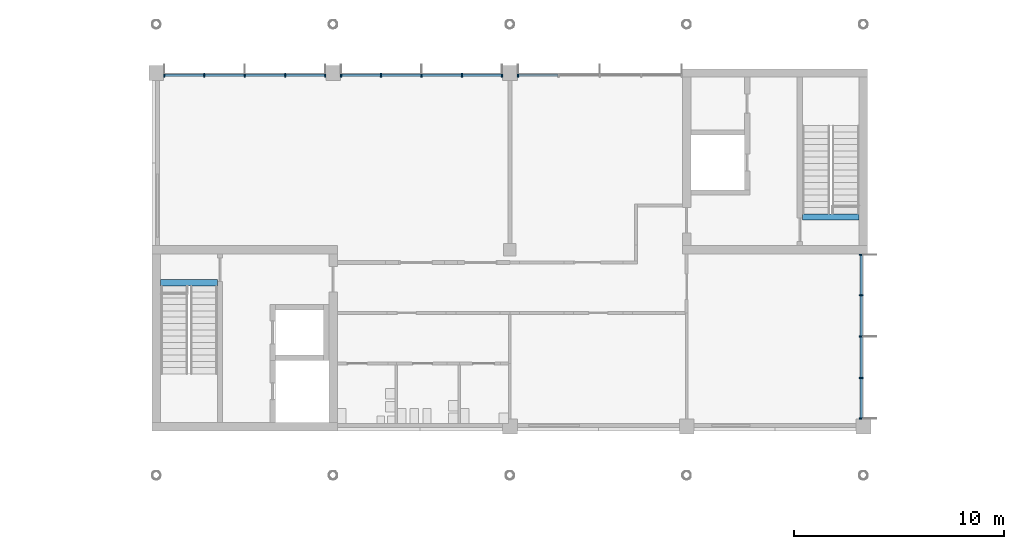
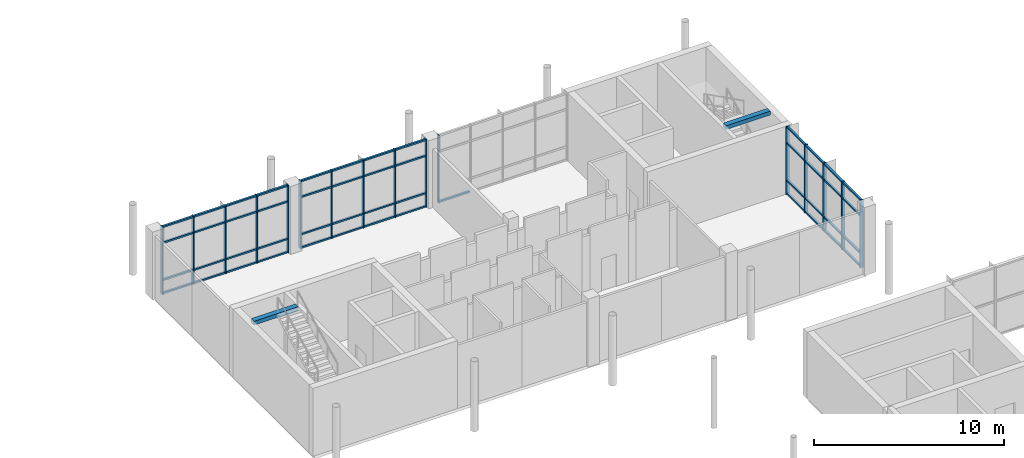
# One storey, part 22 of 70: 65 members, 2 beams, 4 elements without a shape of their own.
"""IFC4 building model written with IfcOpenShell, lengths in metres."""

from ifc_helpers import new_model, si_unit, direction, frame, origin, origin_2d, place, context, subcontext, project, spatial, rectangle, extrude, material, material_profile, profile_set, type_object, element, aggregate, save


model = new_model("IFC4")

# Units and contexts
model_context = context("Model", 3, precision=1e-05, world=origin(), true_north=direction((0.0, 1.0)))
body_context = subcontext(model_context, "Body", "Model", "MODEL_VIEW")
ifc_project = project(units=[si_unit("LENGTHUNIT", "METRE"), si_unit("AREAUNIT", "SQUARE_METRE"), si_unit("VOLUMEUNIT", "CUBIC_METRE"), si_unit("PLANEANGLEUNIT", "RADIAN"), si_unit("MASSUNIT", "GRAM", prefix="KILO")], contexts=[model_context])

# Site, building, storey
site_placement = place(None, origin())
site = spatial("IfcSite", under=ifc_project, at=site_placement, CompositionType="ELEMENT")
building_placement = place(site_placement, origin())
building = spatial("IfcBuilding", under=site, at=building_placement, Name="Hlaing Beacon Police Headquarters", CompositionType="ELEMENT")
storey_placement = place(building_placement, frame((0.0, 0.0, 5.39990234375)))
storey = spatial("IfcBuildingStorey", under=building, at=storey_placement, Name="L01", CompositionType="ELEMENT", Elevation=5.39990234375)

# Curtain wall, member
ifc_material_1 = material(Name="Aluminium frame with solar control glazing", Category="aluminium")
curtain_wall_type_1 = type_object("IfcCurtainWallType", Name="Unitised curtain wall 7.85 x 4.37", PredefinedType="NOTDEFINED", material=ifc_material_1)
curtain_wall_1_placement = place(storey_placement, origin())
curtain_wall_1 = element("IfcCurtainWall", 1, at=curtain_wall_1_placement, inside=storey, type_object=curtain_wall_type_1, Name="ENV-CW-L01-N028", PredefinedType="NOTDEFINED")
ifc_material_2 = material(Name="Aluminium", Category="aluminium")
ifc_material_profile_1 = material_profile(ifc_material_2, rectangle(XDim=0.199951171875, YDim=0.06005859375, at=origin_2d()), Name="Mullion 60x200")
ifc_profile_set_1 = profile_set([ifc_material_profile_1], Name="Aluminium")
member_type_1 = type_object("IfcMemberType", Name="Mullion 60x200", PredefinedType="MULLION", material=ifc_profile_set_1)
member_1_placement = place(storey_placement, frame((50.780029296875, 92.300048828125, 0.0), z_axis=(0.0, 0.0, 1.0), x_axis=(0.0, -1.0, 0.0)))
member_1 = element("IfcMember", 2, at=member_1_placement, type_object=member_type_1, Name="CW-L01-N028 mullion 5", PredefinedType="MULLION", context=body_context, shape_type="SweptSolid", body=[
    extrude(rectangle(XDim=0.199951171875, YDim=0.06005859375, at=origin_2d()), origin(), (0.0, 0.0, 1.0), 4.3701171875),
])

# Curtain wall, members
ifc_material_3 = material(Name="Aluminium frame with solar control glazing", Category="aluminium")
curtain_wall_type_2 = type_object("IfcCurtainWallType", Name="Unitised curtain wall 7.70 x 4.37", PredefinedType="NOTDEFINED", material=ifc_material_3)
curtain_wall_2_placement = place(storey_placement, origin())
curtain_wall_2 = element("IfcCurtainWall", 3, at=curtain_wall_2_placement, inside=storey, type_object=curtain_wall_type_2, Name="ENV-CW-L01-N029", PredefinedType="NOTDEFINED")
member_2_placement = place(storey_placement, frame((50.02001953125, 92.300048828125, 0.0), z_axis=(0.0, 0.0, 1.0), x_axis=(0.0, -1.0, 0.0)))
member_2 = element("IfcMember", 4, at=member_2_placement, type_object=member_type_1, Name="CW-L01-N029 mullion 1", PredefinedType="MULLION", context=body_context, shape_type="SweptSolid", body=[
    extrude(rectangle(XDim=0.199951171875, YDim=0.06005859375, at=origin_2d()), origin(), (0.0, 0.0, 1.0), 4.3701171875),
])
member_3_placement = place(storey_placement, frame((48.125, 92.300048828125, 0.0), z_axis=(0.0, 0.0, 1.0), x_axis=(0.0, -1.0, 0.0)))
member_3 = element("IfcMember", 5, at=member_3_placement, type_object=member_type_1, Name="CW-L01-N029 mullion 2", PredefinedType="MULLION", context=body_context, shape_type="SweptSolid", body=[
    extrude(rectangle(XDim=0.199951171875, YDim=0.06005859375, at=origin_2d()), origin(), (0.0, 0.0, 1.0), 4.3701171875),
])
member_4_placement = place(storey_placement, frame((46.199951171875, 92.300048828125, 0.0), z_axis=(0.0, 0.0, 1.0), x_axis=(0.0, -1.0, 0.0)))
member_4 = element("IfcMember", 6, at=member_4_placement, type_object=member_type_1, Name="CW-L01-N029 mullion 3", PredefinedType="MULLION", context=body_context, shape_type="SweptSolid", body=[
    extrude(rectangle(XDim=0.199951171875, YDim=0.06005859375, at=origin_2d()), origin(), (0.0, 0.0, 1.0), 4.3701171875),
])
member_5_placement = place(storey_placement, frame((44.27490234375, 92.300048828125, 0.0), z_axis=(0.0, 0.0, 1.0), x_axis=(0.0, -1.0, 0.0)))
member_5 = element("IfcMember", 7, at=member_5_placement, type_object=member_type_1, Name="CW-L01-N029 mullion 4", PredefinedType="MULLION", context=body_context, shape_type="SweptSolid", body=[
    extrude(rectangle(XDim=0.199951171875, YDim=0.06005859375, at=origin_2d()), origin(), (0.0, 0.0, 1.0), 4.3701171875),
])
member_6_placement = place(storey_placement, frame((42.3798828125, 92.300048828125, 0.0), z_axis=(0.0, 0.0, 1.0), x_axis=(0.0, -1.0, 0.0)))
member_6 = element("IfcMember", 8, at=member_6_placement, type_object=member_type_1, Name="CW-L01-N029 mullion 5", PredefinedType="MULLION", context=body_context, shape_type="SweptSolid", body=[
    extrude(rectangle(XDim=0.199951171875, YDim=0.06005859375, at=origin_2d()), origin(), (0.0, 0.0, 1.0), 4.3701171875),
])

curtain_wall_3_placement = place(storey_placement, origin())
curtain_wall_3 = element("IfcCurtainWall", 9, at=curtain_wall_3_placement, inside=storey, type_object=curtain_wall_type_2, Name="ENV-CW-L01-N030", PredefinedType="NOTDEFINED")
member_7_placement = place(storey_placement, frame((41.6201171875, 92.300048828125, 0.0), z_axis=(0.0, 0.0, 1.0), x_axis=(0.0, -1.0, 0.0)))
member_7 = element("IfcMember", 10, at=member_7_placement, type_object=member_type_1, Name="CW-L01-N030 mullion 1", PredefinedType="MULLION", context=body_context, shape_type="SweptSolid", body=[
    extrude(rectangle(XDim=0.199951171875, YDim=0.06005859375, at=origin_2d()), origin(), (0.0, 0.0, 1.0), 4.3701171875),
])
member_8_placement = place(storey_placement, frame((39.72509765625, 92.300048828125, 0.0), z_axis=(0.0, 0.0, 1.0), x_axis=(0.0, -1.0, 0.0)))
member_8 = element("IfcMember", 11, at=member_8_placement, type_object=member_type_1, Name="CW-L01-N030 mullion 2", PredefinedType="MULLION", context=body_context, shape_type="SweptSolid", body=[
    extrude(rectangle(XDim=0.199951171875, YDim=0.06005859375, at=origin_2d()), origin(), (0.0, 0.0, 1.0), 4.3701171875),
])
member_9_placement = place(storey_placement, frame((37.800048828125, 92.300048828125, 0.0), z_axis=(0.0, 0.0, 1.0), x_axis=(0.0, -1.0, 0.0)))
member_9 = element("IfcMember", 12, at=member_9_placement, type_object=member_type_1, Name="CW-L01-N030 mullion 3", PredefinedType="MULLION", context=body_context, shape_type="SweptSolid", body=[
    extrude(rectangle(XDim=0.199951171875, YDim=0.06005859375, at=origin_2d()), origin(), (0.0, 0.0, 1.0), 4.3701171875),
])
member_10_placement = place(storey_placement, frame((35.875, 92.300048828125, 0.0), z_axis=(0.0, 0.0, 1.0), x_axis=(0.0, -1.0, 0.0)))
member_10 = element("IfcMember", 13, at=member_10_placement, type_object=member_type_1, Name="CW-L01-N030 mullion 4", PredefinedType="MULLION", context=body_context, shape_type="SweptSolid", body=[
    extrude(rectangle(XDim=0.199951171875, YDim=0.06005859375, at=origin_2d()), origin(), (0.0, 0.0, 1.0), 4.3701171875),
])
member_11_placement = place(storey_placement, frame((33.97998046875, 92.300048828125, 0.0), z_axis=(0.0, 0.0, 1.0), x_axis=(0.0, -1.0, 0.0)))
member_11 = element("IfcMember", 14, at=member_11_placement, type_object=member_type_1, Name="CW-L01-N030 mullion 5", PredefinedType="MULLION", context=body_context, shape_type="SweptSolid", body=[
    extrude(rectangle(XDim=0.199951171875, YDim=0.06005859375, at=origin_2d()), origin(), (0.0, 0.0, 1.0), 4.3701171875),
])

curtain_wall_4_placement = place(storey_placement, origin())
curtain_wall_4 = element("IfcCurtainWall", 15, at=curtain_wall_4_placement, inside=storey, type_object=curtain_wall_type_1, Name="ENV-CW-L01-E031", PredefinedType="NOTDEFINED")
member_12_placement = place(storey_placement, frame((67.10009765625, 75.97998046875, 0.0), z_axis=(0.0, 0.0, 1.0), x_axis=(-1.0, 0.0, 0.0)))
member_12 = element("IfcMember", 16, at=member_12_placement, type_object=member_type_1, Name="CW-L01-E031 mullion 1", PredefinedType="MULLION", context=body_context, shape_type="SweptSolid", body=[
    extrude(rectangle(XDim=0.199951171875, YDim=0.06005859375, at=origin_2d()), origin(), (0.0, 0.0, 1.0), 4.3701171875),
])
member_13_placement = place(storey_placement, frame((67.10009765625, 77.91259765625, 0.0), z_axis=(0.0, 0.0, 1.0), x_axis=(-1.0, 0.0, 0.0)))
member_13 = element("IfcMember", 17, at=member_13_placement, type_object=member_type_1, Name="CW-L01-E031 mullion 2", PredefinedType="MULLION", context=body_context, shape_type="SweptSolid", body=[
    extrude(rectangle(XDim=0.199951171875, YDim=0.06005859375, at=origin_2d()), origin(), (0.0, 0.0, 1.0), 4.3701171875),
])
member_14_placement = place(storey_placement, frame((67.10009765625, 79.875, 0.0), z_axis=(0.0, 0.0, 1.0), x_axis=(-1.0, 0.0, 0.0)))
member_14 = element("IfcMember", 18, at=member_14_placement, type_object=member_type_1, Name="CW-L01-E031 mullion 3", PredefinedType="MULLION", context=body_context, shape_type="SweptSolid", body=[
    extrude(rectangle(XDim=0.199951171875, YDim=0.06005859375, at=origin_2d()), origin(), (0.0, 0.0, 1.0), 4.3701171875),
])
member_15_placement = place(storey_placement, frame((67.10009765625, 81.83740234375, 0.0), z_axis=(0.0, 0.0, 1.0), x_axis=(-1.0, 0.0, 0.0)))
member_15 = element("IfcMember", 19, at=member_15_placement, type_object=member_type_1, Name="CW-L01-E031 mullion 4", PredefinedType="MULLION", context=body_context, shape_type="SweptSolid", body=[
    extrude(rectangle(XDim=0.199951171875, YDim=0.06005859375, at=origin_2d()), origin(), (0.0, 0.0, 1.0), 4.3701171875),
])
member_16_placement = place(storey_placement, frame((67.10009765625, 83.77001953125, 0.0), z_axis=(0.0, 0.0, 1.0), x_axis=(-1.0, 0.0, 0.0)))
member_16 = element("IfcMember", 20, at=member_16_placement, type_object=member_type_1, Name="CW-L01-E031 mullion 5", PredefinedType="MULLION", context=body_context, shape_type="SweptSolid", body=[
    extrude(rectangle(XDim=0.199951171875, YDim=0.06005859375, at=origin_2d()), origin(), (0.0, 0.0, 1.0), 4.3701171875),
])

# Beams
ifc_material_4 = material(Name="Concrete C40/50", Category="concrete")
ifc_material_profile_2 = material_profile(ifc_material_4, rectangle(XDim=0.300048828125, YDim=0.25, at=origin_2d()), Name="Stair arrival beam 300x250")
ifc_profile_set_2 = profile_set([ifc_material_profile_2], Name="Concrete C40/50")
beam_type = type_object("IfcBeamType", Name="Stair arrival beam 300x250", PredefinedType="BEAM", material=ifc_profile_set_2)
for number, where, z_axis, x_axis, name in (
    (21, (33.800048828125, 82.43994140625, 4.2451171875), (1.0, 0.0, 0.0), (0.0, 1.0, 0.0), "Stair arrival beam ST-E"),
    (22, (67.0, 85.56005859375, 4.2451171875), (-1.0, 0.0, 0.0), (0.0, -1.0, 0.0), "Stair arrival beam ST-F"),
):
    element("IfcBeam", number, at=place(storey_placement, frame(where, z_axis=z_axis, x_axis=x_axis)), inside=storey, type_object=beam_type, Name=name, PredefinedType="BEAM", context=body_context, shape_type="SweptSolid", body=[
        extrude(rectangle(XDim=0.300048828125, YDim=0.25, at=origin_2d()), origin(), (0.0, 0.0, 1.0), 2.699951171875),
    ])

# Member
ifc_material_5 = material(Name="Aluminium", Category="aluminium")
ifc_material_profile_3 = material_profile(ifc_material_5, rectangle(XDim=0.1201171875, YDim=0.10009765625, at=origin_2d()), Name="Transom 120x100")
ifc_profile_set_3 = profile_set([ifc_material_profile_3], Name="Aluminium")
member_type_2 = type_object("IfcMemberType", Name="Transom 120x100", PredefinedType="USERDEFINED", material=ifc_profile_set_3)
member_17_placement = place(storey_placement, frame((52.6826171875, 92.300048828125, 0.050048828125), z_axis=(-1.0, 0.0, 0.0), x_axis=(0.0, -1.0, 0.0)))
member_17 = element("IfcMember", 23, at=member_17_placement, type_object=member_type_2, Name="CW-L01-N028 transom 4.1", ObjectType="TRANSOM", PredefinedType="USERDEFINED", context=body_context, shape_type="SweptSolid", body=[
    extrude(rectangle(XDim=0.1201171875, YDim=0.10009765625, at=origin_2d()), origin(), (0.0, 0.0, 1.0), 1.87255859375),
])

aggregate(curtain_wall_1, [member_1, member_17])

member_18_placement = place(storey_placement, frame((49.989990234375, 92.300048828125, 0.050048828125), z_axis=(-1.0, 0.0, 0.0), x_axis=(0.0, -1.0, 0.0)))
member_18 = element("IfcMember", 24, at=member_18_placement, type_object=member_type_2, Name="CW-L01-N029 transom 1.1", ObjectType="TRANSOM", PredefinedType="USERDEFINED", context=body_context, shape_type="SweptSolid", body=[
    extrude(rectangle(XDim=0.1201171875, YDim=0.10009765625, at=origin_2d()), origin(), (0.0, 0.0, 1.0), 1.8349609375),
])

member_19_placement = place(storey_placement, frame((49.989990234375, 92.300048828125, 0.900146484375), z_axis=(-1.0, 0.0, 0.0), x_axis=(0.0, -1.0, 0.0)))
member_19 = element("IfcMember", 25, at=member_19_placement, type_object=member_type_2, Name="CW-L01-N029 transom 1.2", ObjectType="TRANSOM", PredefinedType="USERDEFINED", context=body_context, shape_type="SweptSolid", body=[
    extrude(rectangle(XDim=0.1201171875, YDim=0.10009765625, at=origin_2d()), origin(), (0.0, 0.0, 1.0), 1.8349609375),
])

member_20_placement = place(storey_placement, frame((49.989990234375, 92.300048828125, 3.300048828125), z_axis=(-1.0, 0.0, 0.0), x_axis=(0.0, -1.0, 0.0)))
member_20 = element("IfcMember", 26, at=member_20_placement, type_object=member_type_2, Name="CW-L01-N029 transom 1.3", ObjectType="TRANSOM", PredefinedType="USERDEFINED", context=body_context, shape_type="SweptSolid", body=[
    extrude(rectangle(XDim=0.1201171875, YDim=0.10009765625, at=origin_2d()), origin(), (0.0, 0.0, 1.0), 1.8349609375),
])

member_21_placement = place(storey_placement, frame((49.989990234375, 92.300048828125, 4.320068359375), z_axis=(-1.0, 0.0, 0.0), x_axis=(0.0, -1.0, 0.0)))
member_21 = element("IfcMember", 27, at=member_21_placement, type_object=member_type_2, Name="CW-L01-N029 transom 1.4", ObjectType="TRANSOM", PredefinedType="USERDEFINED", context=body_context, shape_type="SweptSolid", body=[
    extrude(rectangle(XDim=0.1201171875, YDim=0.10009765625, at=origin_2d()), origin(), (0.0, 0.0, 1.0), 1.8349609375),
])

member_22_placement = place(storey_placement, frame((48.094970703125, 92.300048828125, 0.050048828125), z_axis=(-1.0, 0.0, 0.0), x_axis=(0.0, -1.0, 0.0)))
member_22 = element("IfcMember", 28, at=member_22_placement, type_object=member_type_2, Name="CW-L01-N029 transom 2.1", ObjectType="TRANSOM", PredefinedType="USERDEFINED", context=body_context, shape_type="SweptSolid", body=[
    extrude(rectangle(XDim=0.1201171875, YDim=0.10009765625, at=origin_2d()), origin(), (0.0, 0.0, 1.0), 1.864990234375),
])

member_23_placement = place(storey_placement, frame((48.094970703125, 92.300048828125, 0.900146484375), z_axis=(-1.0, 0.0, 0.0), x_axis=(0.0, -1.0, 0.0)))
member_23 = element("IfcMember", 29, at=member_23_placement, type_object=member_type_2, Name="CW-L01-N029 transom 2.2", ObjectType="TRANSOM", PredefinedType="USERDEFINED", context=body_context, shape_type="SweptSolid", body=[
    extrude(rectangle(XDim=0.1201171875, YDim=0.10009765625, at=origin_2d()), origin(), (0.0, 0.0, 1.0), 1.864990234375),
])

member_24_placement = place(storey_placement, frame((48.094970703125, 92.300048828125, 3.300048828125), z_axis=(-1.0, 0.0, 0.0), x_axis=(0.0, -1.0, 0.0)))
member_24 = element("IfcMember", 30, at=member_24_placement, type_object=member_type_2, Name="CW-L01-N029 transom 2.3", ObjectType="TRANSOM", PredefinedType="USERDEFINED", context=body_context, shape_type="SweptSolid", body=[
    extrude(rectangle(XDim=0.1201171875, YDim=0.10009765625, at=origin_2d()), origin(), (0.0, 0.0, 1.0), 1.864990234375),
])

member_25_placement = place(storey_placement, frame((48.094970703125, 92.300048828125, 4.320068359375), z_axis=(-1.0, 0.0, 0.0), x_axis=(0.0, -1.0, 0.0)))
member_25 = element("IfcMember", 31, at=member_25_placement, type_object=member_type_2, Name="CW-L01-N029 transom 2.4", ObjectType="TRANSOM", PredefinedType="USERDEFINED", context=body_context, shape_type="SweptSolid", body=[
    extrude(rectangle(XDim=0.1201171875, YDim=0.10009765625, at=origin_2d()), origin(), (0.0, 0.0, 1.0), 1.864990234375),
])

member_26_placement = place(storey_placement, frame((46.169921875, 92.300048828125, 0.050048828125), z_axis=(-1.0, 0.0, 0.0), x_axis=(0.0, -1.0, 0.0)))
member_26 = element("IfcMember", 32, at=member_26_placement, type_object=member_type_2, Name="CW-L01-N029 transom 3.1", ObjectType="TRANSOM", PredefinedType="USERDEFINED", context=body_context, shape_type="SweptSolid", body=[
    extrude(rectangle(XDim=0.1201171875, YDim=0.10009765625, at=origin_2d()), origin(), (0.0, 0.0, 1.0), 1.864990234375),
])

member_27_placement = place(storey_placement, frame((46.169921875, 92.300048828125, 0.900146484375), z_axis=(-1.0, 0.0, 0.0), x_axis=(0.0, -1.0, 0.0)))
member_27 = element("IfcMember", 33, at=member_27_placement, type_object=member_type_2, Name="CW-L01-N029 transom 3.2", ObjectType="TRANSOM", PredefinedType="USERDEFINED", context=body_context, shape_type="SweptSolid", body=[
    extrude(rectangle(XDim=0.1201171875, YDim=0.10009765625, at=origin_2d()), origin(), (0.0, 0.0, 1.0), 1.864990234375),
])

member_28_placement = place(storey_placement, frame((46.169921875, 92.300048828125, 3.300048828125), z_axis=(-1.0, 0.0, 0.0), x_axis=(0.0, -1.0, 0.0)))
member_28 = element("IfcMember", 34, at=member_28_placement, type_object=member_type_2, Name="CW-L01-N029 transom 3.3", ObjectType="TRANSOM", PredefinedType="USERDEFINED", context=body_context, shape_type="SweptSolid", body=[
    extrude(rectangle(XDim=0.1201171875, YDim=0.10009765625, at=origin_2d()), origin(), (0.0, 0.0, 1.0), 1.864990234375),
])

member_29_placement = place(storey_placement, frame((46.169921875, 92.300048828125, 4.320068359375), z_axis=(-1.0, 0.0, 0.0), x_axis=(0.0, -1.0, 0.0)))
member_29 = element("IfcMember", 35, at=member_29_placement, type_object=member_type_2, Name="CW-L01-N029 transom 3.4", ObjectType="TRANSOM", PredefinedType="USERDEFINED", context=body_context, shape_type="SweptSolid", body=[
    extrude(rectangle(XDim=0.1201171875, YDim=0.10009765625, at=origin_2d()), origin(), (0.0, 0.0, 1.0), 1.864990234375),
])

member_30_placement = place(storey_placement, frame((44.2451171875, 92.300048828125, 0.050048828125), z_axis=(-1.0, 0.0, 0.0), x_axis=(0.0, -1.0, 0.0)))
member_30 = element("IfcMember", 36, at=member_30_placement, type_object=member_type_2, Name="CW-L01-N029 transom 4.1", ObjectType="TRANSOM", PredefinedType="USERDEFINED", context=body_context, shape_type="SweptSolid", body=[
    extrude(rectangle(XDim=0.1201171875, YDim=0.10009765625, at=origin_2d()), origin(), (0.0, 0.0, 1.0), 1.835205078125),
])

member_31_placement = place(storey_placement, frame((44.2451171875, 92.300048828125, 0.900146484375), z_axis=(-1.0, 0.0, 0.0), x_axis=(0.0, -1.0, 0.0)))
member_31 = element("IfcMember", 37, at=member_31_placement, type_object=member_type_2, Name="CW-L01-N029 transom 4.2", ObjectType="TRANSOM", PredefinedType="USERDEFINED", context=body_context, shape_type="SweptSolid", body=[
    extrude(rectangle(XDim=0.1201171875, YDim=0.10009765625, at=origin_2d()), origin(), (0.0, 0.0, 1.0), 1.835205078125),
])

member_32_placement = place(storey_placement, frame((44.2451171875, 92.300048828125, 3.300048828125), z_axis=(-1.0, 0.0, 0.0), x_axis=(0.0, -1.0, 0.0)))
member_32 = element("IfcMember", 38, at=member_32_placement, type_object=member_type_2, Name="CW-L01-N029 transom 4.3", ObjectType="TRANSOM", PredefinedType="USERDEFINED", context=body_context, shape_type="SweptSolid", body=[
    extrude(rectangle(XDim=0.1201171875, YDim=0.10009765625, at=origin_2d()), origin(), (0.0, 0.0, 1.0), 1.835205078125),
])

member_33_placement = place(storey_placement, frame((44.2451171875, 92.300048828125, 4.320068359375), z_axis=(-1.0, 0.0, 0.0), x_axis=(0.0, -1.0, 0.0)))
member_33 = element("IfcMember", 39, at=member_33_placement, type_object=member_type_2, Name="CW-L01-N029 transom 4.4", ObjectType="TRANSOM", PredefinedType="USERDEFINED", context=body_context, shape_type="SweptSolid", body=[
    extrude(rectangle(XDim=0.1201171875, YDim=0.10009765625, at=origin_2d()), origin(), (0.0, 0.0, 1.0), 1.835205078125),
])

aggregate(curtain_wall_2, [member_2, member_3, member_4, member_5, member_6, member_18, member_19, member_20, member_21, member_22, member_23, member_24, member_25, member_26, member_27, member_28, member_29, member_30, member_31, member_32, member_33])

member_34_placement = place(storey_placement, frame((41.590087890625, 92.300048828125, 0.050048828125), z_axis=(-1.0, 0.0, 0.0), x_axis=(0.0, -1.0, 0.0)))
member_34 = element("IfcMember", 40, at=member_34_placement, type_object=member_type_2, Name="CW-L01-N030 transom 1.1", ObjectType="TRANSOM", PredefinedType="USERDEFINED", context=body_context, shape_type="SweptSolid", body=[
    extrude(rectangle(XDim=0.1201171875, YDim=0.10009765625, at=origin_2d()), origin(), (0.0, 0.0, 1.0), 1.835205078125),
])

member_35_placement = place(storey_placement, frame((41.590087890625, 92.300048828125, 0.900146484375), z_axis=(-1.0, 0.0, 0.0), x_axis=(0.0, -1.0, 0.0)))
member_35 = element("IfcMember", 41, at=member_35_placement, type_object=member_type_2, Name="CW-L01-N030 transom 1.2", ObjectType="TRANSOM", PredefinedType="USERDEFINED", context=body_context, shape_type="SweptSolid", body=[
    extrude(rectangle(XDim=0.1201171875, YDim=0.10009765625, at=origin_2d()), origin(), (0.0, 0.0, 1.0), 1.835205078125),
])

member_36_placement = place(storey_placement, frame((41.590087890625, 92.300048828125, 3.300048828125), z_axis=(-1.0, 0.0, 0.0), x_axis=(0.0, -1.0, 0.0)))
member_36 = element("IfcMember", 42, at=member_36_placement, type_object=member_type_2, Name="CW-L01-N030 transom 1.3", ObjectType="TRANSOM", PredefinedType="USERDEFINED", context=body_context, shape_type="SweptSolid", body=[
    extrude(rectangle(XDim=0.1201171875, YDim=0.10009765625, at=origin_2d()), origin(), (0.0, 0.0, 1.0), 1.835205078125),
])

member_37_placement = place(storey_placement, frame((41.590087890625, 92.300048828125, 4.320068359375), z_axis=(-1.0, 0.0, 0.0), x_axis=(0.0, -1.0, 0.0)))
member_37 = element("IfcMember", 43, at=member_37_placement, type_object=member_type_2, Name="CW-L01-N030 transom 1.4", ObjectType="TRANSOM", PredefinedType="USERDEFINED", context=body_context, shape_type="SweptSolid", body=[
    extrude(rectangle(XDim=0.1201171875, YDim=0.10009765625, at=origin_2d()), origin(), (0.0, 0.0, 1.0), 1.835205078125),
])

member_38_placement = place(storey_placement, frame((39.695068359375, 92.300048828125, 0.050048828125), z_axis=(-1.0, 0.0, 0.0), x_axis=(0.0, -1.0, 0.0)))
member_38 = element("IfcMember", 44, at=member_38_placement, type_object=member_type_2, Name="CW-L01-N030 transom 2.1", ObjectType="TRANSOM", PredefinedType="USERDEFINED", context=body_context, shape_type="SweptSolid", body=[
    extrude(rectangle(XDim=0.1201171875, YDim=0.10009765625, at=origin_2d()), origin(), (0.0, 0.0, 1.0), 1.864990234375),
])

member_39_placement = place(storey_placement, frame((39.695068359375, 92.300048828125, 0.900146484375), z_axis=(-1.0, 0.0, 0.0), x_axis=(0.0, -1.0, 0.0)))
member_39 = element("IfcMember", 45, at=member_39_placement, type_object=member_type_2, Name="CW-L01-N030 transom 2.2", ObjectType="TRANSOM", PredefinedType="USERDEFINED", context=body_context, shape_type="SweptSolid", body=[
    extrude(rectangle(XDim=0.1201171875, YDim=0.10009765625, at=origin_2d()), origin(), (0.0, 0.0, 1.0), 1.864990234375),
])

member_40_placement = place(storey_placement, frame((39.695068359375, 92.300048828125, 3.300048828125), z_axis=(-1.0, 0.0, 0.0), x_axis=(0.0, -1.0, 0.0)))
member_40 = element("IfcMember", 46, at=member_40_placement, type_object=member_type_2, Name="CW-L01-N030 transom 2.3", ObjectType="TRANSOM", PredefinedType="USERDEFINED", context=body_context, shape_type="SweptSolid", body=[
    extrude(rectangle(XDim=0.1201171875, YDim=0.10009765625, at=origin_2d()), origin(), (0.0, 0.0, 1.0), 1.864990234375),
])

member_41_placement = place(storey_placement, frame((39.695068359375, 92.300048828125, 4.320068359375), z_axis=(-1.0, 0.0, 0.0), x_axis=(0.0, -1.0, 0.0)))
member_41 = element("IfcMember", 47, at=member_41_placement, type_object=member_type_2, Name="CW-L01-N030 transom 2.4", ObjectType="TRANSOM", PredefinedType="USERDEFINED", context=body_context, shape_type="SweptSolid", body=[
    extrude(rectangle(XDim=0.1201171875, YDim=0.10009765625, at=origin_2d()), origin(), (0.0, 0.0, 1.0), 1.864990234375),
])

member_42_placement = place(storey_placement, frame((37.77001953125, 92.300048828125, 0.050048828125), z_axis=(-1.0, 0.0, 0.0), x_axis=(0.0, -1.0, 0.0)))
member_42 = element("IfcMember", 48, at=member_42_placement, type_object=member_type_2, Name="CW-L01-N030 transom 3.1", ObjectType="TRANSOM", PredefinedType="USERDEFINED", context=body_context, shape_type="SweptSolid", body=[
    extrude(rectangle(XDim=0.1201171875, YDim=0.10009765625, at=origin_2d()), origin(), (0.0, 0.0, 1.0), 1.864990234375),
])

member_43_placement = place(storey_placement, frame((37.77001953125, 92.300048828125, 0.900146484375), z_axis=(-1.0, 0.0, 0.0), x_axis=(0.0, -1.0, 0.0)))
member_43 = element("IfcMember", 49, at=member_43_placement, type_object=member_type_2, Name="CW-L01-N030 transom 3.2", ObjectType="TRANSOM", PredefinedType="USERDEFINED", context=body_context, shape_type="SweptSolid", body=[
    extrude(rectangle(XDim=0.1201171875, YDim=0.10009765625, at=origin_2d()), origin(), (0.0, 0.0, 1.0), 1.864990234375),
])

member_44_placement = place(storey_placement, frame((37.77001953125, 92.300048828125, 3.300048828125), z_axis=(-1.0, 0.0, 0.0), x_axis=(0.0, -1.0, 0.0)))
member_44 = element("IfcMember", 50, at=member_44_placement, type_object=member_type_2, Name="CW-L01-N030 transom 3.3", ObjectType="TRANSOM", PredefinedType="USERDEFINED", context=body_context, shape_type="SweptSolid", body=[
    extrude(rectangle(XDim=0.1201171875, YDim=0.10009765625, at=origin_2d()), origin(), (0.0, 0.0, 1.0), 1.864990234375),
])

member_45_placement = place(storey_placement, frame((37.77001953125, 92.300048828125, 4.320068359375), z_axis=(-1.0, 0.0, 0.0), x_axis=(0.0, -1.0, 0.0)))
member_45 = element("IfcMember", 51, at=member_45_placement, type_object=member_type_2, Name="CW-L01-N030 transom 3.4", ObjectType="TRANSOM", PredefinedType="USERDEFINED", context=body_context, shape_type="SweptSolid", body=[
    extrude(rectangle(XDim=0.1201171875, YDim=0.10009765625, at=origin_2d()), origin(), (0.0, 0.0, 1.0), 1.864990234375),
])

member_46_placement = place(storey_placement, frame((35.844970703125, 92.300048828125, 0.050048828125), z_axis=(-1.0, 0.0, 0.0), x_axis=(0.0, -1.0, 0.0)))
member_46 = element("IfcMember", 52, at=member_46_placement, type_object=member_type_2, Name="CW-L01-N030 transom 4.1", ObjectType="TRANSOM", PredefinedType="USERDEFINED", context=body_context, shape_type="SweptSolid", body=[
    extrude(rectangle(XDim=0.1201171875, YDim=0.10009765625, at=origin_2d()), origin(), (0.0, 0.0, 1.0), 1.8349609375),
])

member_47_placement = place(storey_placement, frame((35.844970703125, 92.300048828125, 0.900146484375), z_axis=(-1.0, 0.0, 0.0), x_axis=(0.0, -1.0, 0.0)))
member_47 = element("IfcMember", 53, at=member_47_placement, type_object=member_type_2, Name="CW-L01-N030 transom 4.2", ObjectType="TRANSOM", PredefinedType="USERDEFINED", context=body_context, shape_type="SweptSolid", body=[
    extrude(rectangle(XDim=0.1201171875, YDim=0.10009765625, at=origin_2d()), origin(), (0.0, 0.0, 1.0), 1.8349609375),
])

member_48_placement = place(storey_placement, frame((35.844970703125, 92.300048828125, 3.300048828125), z_axis=(-1.0, 0.0, 0.0), x_axis=(0.0, -1.0, 0.0)))
member_48 = element("IfcMember", 54, at=member_48_placement, type_object=member_type_2, Name="CW-L01-N030 transom 4.3", ObjectType="TRANSOM", PredefinedType="USERDEFINED", context=body_context, shape_type="SweptSolid", body=[
    extrude(rectangle(XDim=0.1201171875, YDim=0.10009765625, at=origin_2d()), origin(), (0.0, 0.0, 1.0), 1.8349609375),
])

member_49_placement = place(storey_placement, frame((35.844970703125, 92.300048828125, 4.320068359375), z_axis=(-1.0, 0.0, 0.0), x_axis=(0.0, -1.0, 0.0)))
member_49 = element("IfcMember", 55, at=member_49_placement, type_object=member_type_2, Name="CW-L01-N030 transom 4.4", ObjectType="TRANSOM", PredefinedType="USERDEFINED", context=body_context, shape_type="SweptSolid", body=[
    extrude(rectangle(XDim=0.1201171875, YDim=0.10009765625, at=origin_2d()), origin(), (0.0, 0.0, 1.0), 1.8349609375),
])

aggregate(curtain_wall_3, [member_7, member_8, member_9, member_10, member_11, member_34, member_35, member_36, member_37, member_38, member_39, member_40, member_41, member_42, member_43, member_44, member_45, member_46, member_47, member_48, member_49])

member_50_placement = place(storey_placement, frame((67.10009765625, 76.010009765625, 0.050048828125), z_axis=(0.0, 1.0, 0.0), x_axis=(-1.0, 0.0, 0.0)))
member_50 = element("IfcMember", 56, at=member_50_placement, type_object=member_type_2, Name="CW-L01-E031 transom 1.1", ObjectType="TRANSOM", PredefinedType="USERDEFINED", context=body_context, shape_type="SweptSolid", body=[
    extrude(rectangle(XDim=0.1201171875, YDim=0.10009765625, at=origin_2d()), origin(), (0.0, 0.0, 1.0), 1.87255859375),
])

member_51_placement = place(storey_placement, frame((67.10009765625, 76.010009765625, 0.900146484375), z_axis=(0.0, 1.0, 0.0), x_axis=(-1.0, 0.0, 0.0)))
member_51 = element("IfcMember", 57, at=member_51_placement, type_object=member_type_2, Name="CW-L01-E031 transom 1.2", ObjectType="TRANSOM", PredefinedType="USERDEFINED", context=body_context, shape_type="SweptSolid", body=[
    extrude(rectangle(XDim=0.1201171875, YDim=0.10009765625, at=origin_2d()), origin(), (0.0, 0.0, 1.0), 1.87255859375),
])

member_52_placement = place(storey_placement, frame((67.10009765625, 76.010009765625, 3.300048828125), z_axis=(0.0, 1.0, 0.0), x_axis=(-1.0, 0.0, 0.0)))
member_52 = element("IfcMember", 58, at=member_52_placement, type_object=member_type_2, Name="CW-L01-E031 transom 1.3", ObjectType="TRANSOM", PredefinedType="USERDEFINED", context=body_context, shape_type="SweptSolid", body=[
    extrude(rectangle(XDim=0.1201171875, YDim=0.10009765625, at=origin_2d()), origin(), (0.0, 0.0, 1.0), 1.87255859375),
])

member_53_placement = place(storey_placement, frame((67.10009765625, 76.010009765625, 4.320068359375), z_axis=(0.0, 1.0, 0.0), x_axis=(-1.0, 0.0, 0.0)))
member_53 = element("IfcMember", 59, at=member_53_placement, type_object=member_type_2, Name="CW-L01-E031 transom 1.4", ObjectType="TRANSOM", PredefinedType="USERDEFINED", context=body_context, shape_type="SweptSolid", body=[
    extrude(rectangle(XDim=0.1201171875, YDim=0.10009765625, at=origin_2d()), origin(), (0.0, 0.0, 1.0), 1.87255859375),
])

member_54_placement = place(storey_placement, frame((67.10009765625, 77.9423828125, 0.050048828125), z_axis=(0.0, 1.0, 0.0), x_axis=(-1.0, 0.0, 0.0)))
member_54 = element("IfcMember", 60, at=member_54_placement, type_object=member_type_2, Name="CW-L01-E031 transom 2.1", ObjectType="TRANSOM", PredefinedType="USERDEFINED", context=body_context, shape_type="SweptSolid", body=[
    extrude(rectangle(XDim=0.1201171875, YDim=0.10009765625, at=origin_2d()), origin(), (0.0, 0.0, 1.0), 1.902587890625),
])

member_55_placement = place(storey_placement, frame((67.10009765625, 77.9423828125, 0.900146484375), z_axis=(0.0, 1.0, 0.0), x_axis=(-1.0, 0.0, 0.0)))
member_55 = element("IfcMember", 61, at=member_55_placement, type_object=member_type_2, Name="CW-L01-E031 transom 2.2", ObjectType="TRANSOM", PredefinedType="USERDEFINED", context=body_context, shape_type="SweptSolid", body=[
    extrude(rectangle(XDim=0.1201171875, YDim=0.10009765625, at=origin_2d()), origin(), (0.0, 0.0, 1.0), 1.902587890625),
])

member_56_placement = place(storey_placement, frame((67.10009765625, 77.9423828125, 3.300048828125), z_axis=(0.0, 1.0, 0.0), x_axis=(-1.0, 0.0, 0.0)))
member_56 = element("IfcMember", 62, at=member_56_placement, type_object=member_type_2, Name="CW-L01-E031 transom 2.3", ObjectType="TRANSOM", PredefinedType="USERDEFINED", context=body_context, shape_type="SweptSolid", body=[
    extrude(rectangle(XDim=0.1201171875, YDim=0.10009765625, at=origin_2d()), origin(), (0.0, 0.0, 1.0), 1.902587890625),
])

member_57_placement = place(storey_placement, frame((67.10009765625, 77.9423828125, 4.320068359375), z_axis=(0.0, 1.0, 0.0), x_axis=(-1.0, 0.0, 0.0)))
member_57 = element("IfcMember", 63, at=member_57_placement, type_object=member_type_2, Name="CW-L01-E031 transom 2.4", ObjectType="TRANSOM", PredefinedType="USERDEFINED", context=body_context, shape_type="SweptSolid", body=[
    extrude(rectangle(XDim=0.1201171875, YDim=0.10009765625, at=origin_2d()), origin(), (0.0, 0.0, 1.0), 1.902587890625),
])

member_58_placement = place(storey_placement, frame((67.10009765625, 79.905029296875, 0.050048828125), z_axis=(0.0, 1.0, 0.0), x_axis=(-1.0, 0.0, 0.0)))
member_58 = element("IfcMember", 64, at=member_58_placement, type_object=member_type_2, Name="CW-L01-E031 transom 3.1", ObjectType="TRANSOM", PredefinedType="USERDEFINED", context=body_context, shape_type="SweptSolid", body=[
    extrude(rectangle(XDim=0.1201171875, YDim=0.10009765625, at=origin_2d()), origin(), (0.0, 0.0, 1.0), 1.902587890625),
])

member_59_placement = place(storey_placement, frame((67.10009765625, 79.905029296875, 0.900146484375), z_axis=(0.0, 1.0, 0.0), x_axis=(-1.0, 0.0, 0.0)))
member_59 = element("IfcMember", 65, at=member_59_placement, type_object=member_type_2, Name="CW-L01-E031 transom 3.2", ObjectType="TRANSOM", PredefinedType="USERDEFINED", context=body_context, shape_type="SweptSolid", body=[
    extrude(rectangle(XDim=0.1201171875, YDim=0.10009765625, at=origin_2d()), origin(), (0.0, 0.0, 1.0), 1.902587890625),
])

member_60_placement = place(storey_placement, frame((67.10009765625, 79.905029296875, 3.300048828125), z_axis=(0.0, 1.0, 0.0), x_axis=(-1.0, 0.0, 0.0)))
member_60 = element("IfcMember", 66, at=member_60_placement, type_object=member_type_2, Name="CW-L01-E031 transom 3.3", ObjectType="TRANSOM", PredefinedType="USERDEFINED", context=body_context, shape_type="SweptSolid", body=[
    extrude(rectangle(XDim=0.1201171875, YDim=0.10009765625, at=origin_2d()), origin(), (0.0, 0.0, 1.0), 1.902587890625),
])

member_61_placement = place(storey_placement, frame((67.10009765625, 79.905029296875, 4.320068359375), z_axis=(0.0, 1.0, 0.0), x_axis=(-1.0, 0.0, 0.0)))
member_61 = element("IfcMember", 67, at=member_61_placement, type_object=member_type_2, Name="CW-L01-E031 transom 3.4", ObjectType="TRANSOM", PredefinedType="USERDEFINED", context=body_context, shape_type="SweptSolid", body=[
    extrude(rectangle(XDim=0.1201171875, YDim=0.10009765625, at=origin_2d()), origin(), (0.0, 0.0, 1.0), 1.902587890625),
])

member_62_placement = place(storey_placement, frame((67.10009765625, 81.867431640625, 0.050048828125), z_axis=(0.0, 1.0, 0.0), x_axis=(-1.0, 0.0, 0.0)))
member_62 = element("IfcMember", 68, at=member_62_placement, type_object=member_type_2, Name="CW-L01-E031 transom 4.1", ObjectType="TRANSOM", PredefinedType="USERDEFINED", context=body_context, shape_type="SweptSolid", body=[
    extrude(rectangle(XDim=0.1201171875, YDim=0.10009765625, at=origin_2d()), origin(), (0.0, 0.0, 1.0), 1.87255859375),
])

member_63_placement = place(storey_placement, frame((67.10009765625, 81.867431640625, 0.900146484375), z_axis=(0.0, 1.0, 0.0), x_axis=(-1.0, 0.0, 0.0)))
member_63 = element("IfcMember", 69, at=member_63_placement, type_object=member_type_2, Name="CW-L01-E031 transom 4.2", ObjectType="TRANSOM", PredefinedType="USERDEFINED", context=body_context, shape_type="SweptSolid", body=[
    extrude(rectangle(XDim=0.1201171875, YDim=0.10009765625, at=origin_2d()), origin(), (0.0, 0.0, 1.0), 1.87255859375),
])

member_64_placement = place(storey_placement, frame((67.10009765625, 81.867431640625, 3.300048828125), z_axis=(0.0, 1.0, 0.0), x_axis=(-1.0, 0.0, 0.0)))
member_64 = element("IfcMember", 70, at=member_64_placement, type_object=member_type_2, Name="CW-L01-E031 transom 4.3", ObjectType="TRANSOM", PredefinedType="USERDEFINED", context=body_context, shape_type="SweptSolid", body=[
    extrude(rectangle(XDim=0.1201171875, YDim=0.10009765625, at=origin_2d()), origin(), (0.0, 0.0, 1.0), 1.87255859375),
])

member_65_placement = place(storey_placement, frame((67.10009765625, 81.867431640625, 4.320068359375), z_axis=(0.0, 1.0, 0.0), x_axis=(-1.0, 0.0, 0.0)))
member_65 = element("IfcMember", 71, at=member_65_placement, type_object=member_type_2, Name="CW-L01-E031 transom 4.4", ObjectType="TRANSOM", PredefinedType="USERDEFINED", context=body_context, shape_type="SweptSolid", body=[
    extrude(rectangle(XDim=0.1201171875, YDim=0.10009765625, at=origin_2d()), origin(), (0.0, 0.0, 1.0), 1.87255859375),
])

aggregate(curtain_wall_4, [member_12, member_13, member_14, member_15, member_16, member_50, member_51, member_52, member_53, member_54, member_55, member_56, member_57, member_58, member_59, member_60, member_61, member_62, member_63, member_64, member_65])

save(model, "model.ifc")
